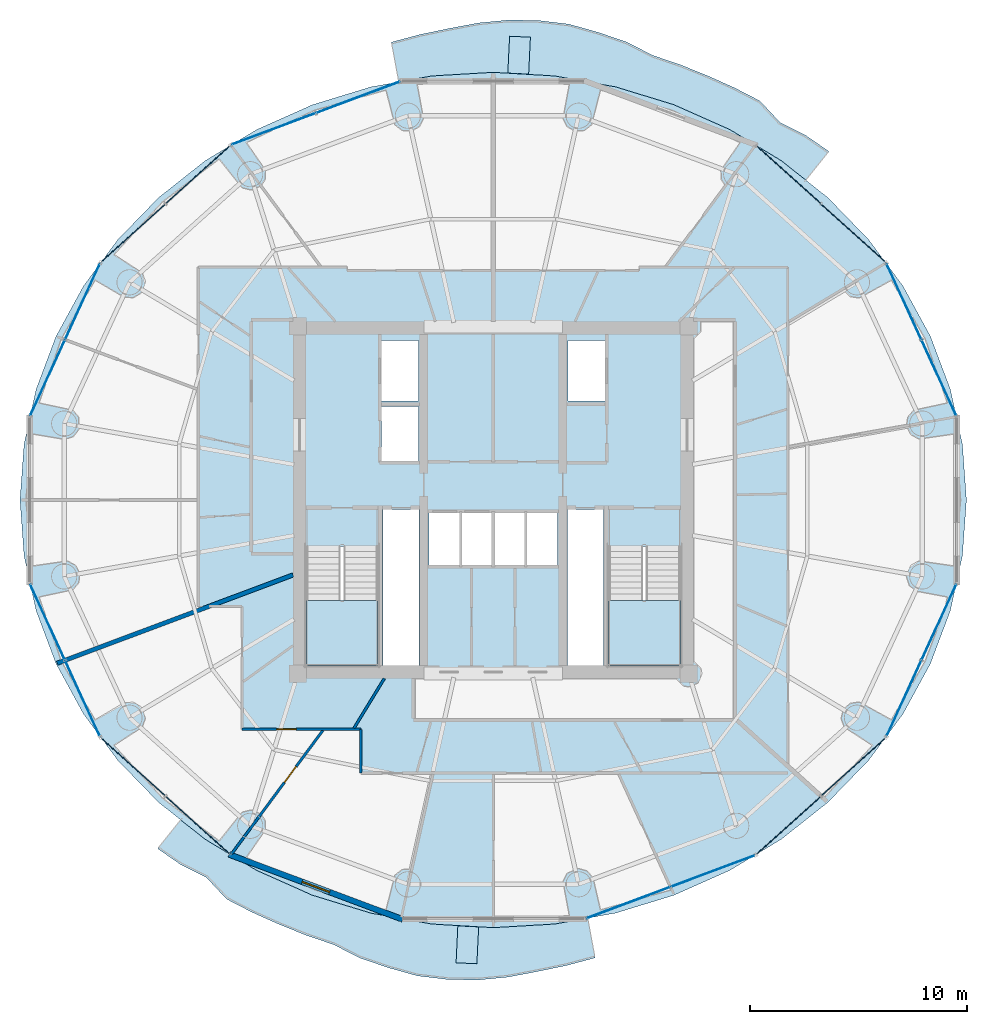
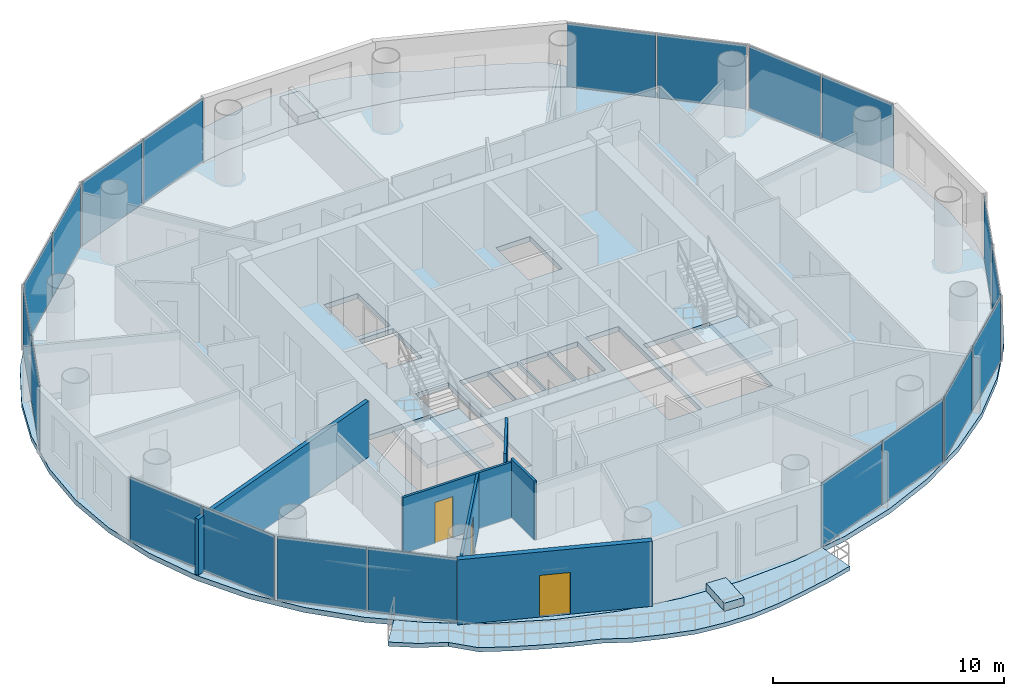
# One storey, part 19 of 26: 20 plates, 7 slabs, 6 walls, 3 doors, 3 openings, 12 elements without a shape of their own.
"""IFC4 building model written with IfcOpenShell, lengths in metres."""

import ifcopenshell
import ifcopenshell.guid

model = None  # the IFC model being written
_history = None  # IfcOwnerHistory: only IFC2X3 demands one
_inside = {}  # id of a spatial element -> (the spatial element, [elements in it])
_under = {}  # id of a project, library or spatial element -> (it, [spatial elements below it])
_declared = {}  # id of a project -> (the project, [libraries it declares])
_typed = {}  # id of a type object -> (the type object, [elements of that type])
_made_of = {}  # id of a material, layer set ... -> (it, [elements and type objects made of it])


def new_model(schema):
    """Start an empty IFC model of exactly this schema.

    Asked for "IFC4X3", IfcOpenShell would pick the latest addendum, in which some entities
    have other attributes; the version numbers below select the first issue.
    IFC2X3 requires an IfcOwnerHistory on every rooted entity: one is made here for all.
    """
    global model, _history
    if schema == "IFC4X3":
        model = ifcopenshell.file(schema_version=(4, 3, 0, 0))
    else:
        model = ifcopenshell.file(schema=schema)
    _inside.clear()
    _under.clear()
    _declared.clear()
    _typed.clear()
    _made_of.clear()
    _history = None
    if model.schema == "IFC2X3":
        org = make("IfcOrganization", Name="unknown")
        user = make(
            "IfcPersonAndOrganization",
            ThePerson=make("IfcPerson", FamilyName="unknown"),
            TheOrganization=org,
        )
        app = make(
            "IfcApplication",
            ApplicationDeveloper=org,
            Version="unknown",
            ApplicationFullName="unknown",
            ApplicationIdentifier="unknown",
        )
        _history = make(
            "IfcOwnerHistory",
            OwningUser=user,
            OwningApplication=app,
            ChangeAction="ADDED",
            CreationDate=0,
        )
    return model


def make(cls, **values):
    """One entity of the class cls with the attributes given. An attribute that is None is left unset."""
    return model.create_entity(
        cls, **{name: value for name, value in values.items() if value is not None}
    )


def rooted(cls, **values):
    """An entity with a GlobalId (a new one), such as an element, a storey or a relation."""
    return make(cls, GlobalId=ifcopenshell.guid.new(), OwnerHistory=_history, **values)


def si_unit(unit_type, name, prefix=None):
    """IfcSIUnit, for example si_unit("LENGTHUNIT", "METRE", prefix="MILLI")."""
    return make("IfcSIUnit", UnitType=unit_type, Prefix=prefix, Name=name)


def assignment(units):
    """IfcUnitAssignment: the units of a project."""
    return None if units is None else make("IfcUnitAssignment", Units=units)


def point(xyz):
    """IfcCartesianPoint."""
    return None if xyz is None else make("IfcCartesianPoint", Coordinates=xyz)


def direction(xyz):
    """IfcDirection."""
    return None if xyz is None else make("IfcDirection", DirectionRatios=xyz)


def frame(location, z_axis=None, x_axis=None):
    """IfcAxis2Placement3D, a coordinate frame: its origin and axes. An axis left out is left unset."""
    return make(
        "IfcAxis2Placement3D",
        Location=point(location),
        Axis=direction(z_axis),
        RefDirection=direction(x_axis),
    )


def frame_2d(location, x_axis=None):
    """IfcAxis2Placement2D, a coordinate frame in the plane: its origin and x axis."""
    return make(
        "IfcAxis2Placement2D", Location=point(location), RefDirection=direction(x_axis)
    )


def origin():
    """The frame at (0, 0, 0) with its axes left unset."""
    return frame((0.0, 0.0, 0.0))


def origin_2d():
    """The frame at (0, 0) in the plane with its x axis left unset."""
    return frame_2d((0.0, 0.0))


def place(relative_to, where):
    """IfcLocalPlacement: puts the frame where relative to a parent placement (None: the world)."""
    return make(
        "IfcLocalPlacement", PlacementRelTo=relative_to, RelativePlacement=where
    )


def context(
    kind, dimensions, precision=None, world=None, true_north=None, identifier=None
):
    """IfcGeometricRepresentationContext, for example the 3D "Model" context."""
    return make(
        "IfcGeometricRepresentationContext",
        ContextIdentifier=identifier,
        ContextType=kind,
        CoordinateSpaceDimension=dimensions,
        Precision=precision,
        WorldCoordinateSystem=world,
        TrueNorth=true_north,
    )


def subcontext(parent, identifier, kind, view, scale=None):
    """IfcGeometricRepresentationSubContext, for example "Body" below "Model"."""
    return make(
        "IfcGeometricRepresentationSubContext",
        ContextIdentifier=identifier,
        ContextType=kind,
        ParentContext=parent,
        TargetScale=scale,
        TargetView=view,
    )


def project(units=None, contexts=None):
    """IfcProject with its units and contexts."""
    return rooted(
        "IfcProject",
        Name="project",
        RepresentationContexts=contexts,
        UnitsInContext=assignment(units),
    )


def spatial(cls, under=None, at=None, **own):
    """A site, building, storey or space (cls), placed at a placement, below another one or the project."""
    s = rooted(cls, ObjectPlacement=at, **own)
    if under is not None:
        _under.setdefault(under.id(), (under, []))[1].append(s)
    return s


def polyline(points):
    """IfcPolyline through the points."""
    return make("IfcPolyline", Points=[point(p) for p in points])


def profile(cls, at=None, kind="AREA", **sizes):
    """A parametric profile (cls). Its sizes go by their IFC names, for example OverallWidth=200.0."""
    return make(cls, ProfileType=kind, Position=at, **sizes)


def rectangle(**sizes):
    """IfcRectangleProfileDef."""
    return profile("IfcRectangleProfileDef", **sizes)


def outline(outer, holes=None, kind="AREA"):
    """IfcArbitraryClosedProfileDef: a profile drawn as a closed curve; with holes, ...WithVoids."""
    if holes is None:
        return make("IfcArbitraryClosedProfileDef", ProfileType=kind, OuterCurve=outer)
    return make(
        "IfcArbitraryProfileDefWithVoids",
        ProfileType=kind,
        OuterCurve=outer,
        InnerCurves=holes,
    )


def extrude(swept, where, along, depth):
    """IfcExtrudedAreaSolid: the profile swept, set in the frame where, extruded along a direction by depth."""
    return make(
        "IfcExtrudedAreaSolid",
        SweptArea=swept,
        Position=where,
        ExtrudedDirection=direction(along),
        Depth=depth,
    )


def shape(context_of_items, identifier, shape_type, items):
    """IfcShapeRepresentation: the items that make up one representation, for example the "Body"."""
    return make(
        "IfcShapeRepresentation",
        ContextOfItems=context_of_items,
        RepresentationIdentifier=identifier,
        RepresentationType=shape_type,
        Items=items,
    )


def source(mapping_origin, context_of_items, identifier, shape_type, items):
    """IfcRepresentationMap: a shape defined once, which mapped items show again and again."""
    return make(
        "IfcRepresentationMap",
        MappingOrigin=mapping_origin,
        MappedRepresentation=shape(context_of_items, identifier, shape_type, items),
    )


def transform(
    local_origin,
    x_axis=None,
    y_axis=None,
    z_axis=None,
    scale=None,
    scale2=None,
    scale3=None,
    uniform=True,
):
    """IfcCartesianTransformationOperator3D, or its non-uniform kind. x_axis, y_axis, z_axis: its Axis1, 2, 3."""
    if uniform:
        return make(
            "IfcCartesianTransformationOperator3D",
            Axis1=direction(x_axis),
            Axis2=direction(y_axis),
            LocalOrigin=point(local_origin),
            Scale=scale,
            Axis3=direction(z_axis),
        )
    return make(
        "IfcCartesianTransformationOperator3DnonUniform",
        Axis1=direction(x_axis),
        Axis2=direction(y_axis),
        LocalOrigin=point(local_origin),
        Scale=scale,
        Axis3=direction(z_axis),
        Scale2=scale2,
        Scale3=scale3,
    )


def mapped(mapping_source, mapping_target):
    """IfcMappedItem: shows the shape of a source again, moved by a transform."""
    return make(
        "IfcMappedItem", MappingSource=mapping_source, MappingTarget=mapping_target
    )


def material(Name=None, Category=None):
    """IfcMaterial."""
    return make("IfcMaterial", Name=Name, Category=Category)


def layer(
    of_material, thickness, ventilated=None, Name=None, Category=None, Priority=None
):
    """IfcMaterialLayer: one layer of a wall or slab, of a material (None: an air gap)."""
    return make(
        "IfcMaterialLayer",
        Material=of_material,
        LayerThickness=thickness,
        IsVentilated=ventilated,
        Name=Name,
        Category=Category,
        Priority=Priority,
    )


def layer_set(layers, Name=None):
    """IfcMaterialLayerSet."""
    return make("IfcMaterialLayerSet", MaterialLayers=layers, LayerSetName=Name)


def made_of(thing, what):
    """Note that an element or type object is made of a material, layer set ...; save() writes the relation."""
    if what is not None:
        _made_of.setdefault(what.id(), (what, []))[1].append(thing)
    return thing


def type_object(cls, material=None, **own):
    """A type object (cls), such as IfcWallType, which elements share."""
    return made_of(rooted(cls, **own), material)


def element(
    cls,
    number,
    at=None,
    inside=None,
    cuts=None,
    type_object=None,
    material=None,
    context=None,
    identifier="Body",
    shape_type=None,
    held_by="IfcProductDefinitionShape",
    body=None,
    shapes=None,
    **own,
):
    """One element of the class cls, such as IfcWall. Its Tag is "e" and its number.

    at: its placement. inside: the storey or other place that contains it. cuts: it is an
    opening in that element (IfcRelVoidsElement). A single representation is given by context,
    identifier, shape_type and body (its items); several are given by shapes. held_by: the class
    of the entity that holds the representations. save() writes the other relations.
    """
    e = rooted(cls, Tag="e%d" % number, ObjectPlacement=at, **own)
    if body is not None:
        shapes = [shape(context, identifier, shape_type, body)]
    if shapes is not None:
        e.Representation = make(held_by, Representations=shapes)
    if inside is not None:
        _inside.setdefault(inside.id(), (inside, []))[1].append(e)
    if cuts is not None:
        rooted(
            "IfcRelVoidsElement", RelatingBuildingElement=cuts, RelatedOpeningElement=e
        )
    if type_object is not None:
        _typed.setdefault(type_object.id(), (type_object, []))[1].append(e)
    return made_of(e, material)


def fill(opening, filler):
    """IfcRelFillsElement: the door or window that sits in an opening."""
    return rooted(
        "IfcRelFillsElement",
        RelatingOpeningElement=opening,
        RelatedBuildingElement=filler,
    )


def aggregate(whole, parts):
    """IfcRelAggregates: a whole, such as a stair, and the parts it consists of."""
    return rooted("IfcRelAggregates", RelatingObject=whole, RelatedObjects=parts)


def save(model, path):
    """Write the relations noted so far, then the file.

    IfcRelAggregates (storeys below a building ...), IfcRelContainedInSpatialStructure (elements
    in a storey), IfcRelDefinesByType, IfcRelAssociatesMaterial and IfcRelDeclares: one each for
    every whole, place, type object, material and project.
    """
    for whole, parts in _under.values():
        aggregate(whole, parts)
    for where, things in _inside.values():
        rooted(
            "IfcRelContainedInSpatialStructure",
            RelatedElements=things,
            RelatingStructure=where,
        )
    for kind, things in _typed.values():
        rooted("IfcRelDefinesByType", RelatedObjects=things, RelatingType=kind)
    for what, things in _made_of.values():
        rooted("IfcRelAssociatesMaterial", RelatedObjects=things, RelatingMaterial=what)
    for by, libraries in _declared.values():
        rooted("IfcRelDeclares", RelatingContext=by, RelatedDefinitions=libraries)
    model.write(path)


model = new_model("IFC4")

# Units and contexts
model_context = context("Model", 3, precision=1e-05, world=origin(), true_north=direction((-0.2419218956, 0.970295726276)))
body_context = subcontext(model_context, "Body", "Model", "MODEL_VIEW")
ifc_project = project(units=[si_unit("LENGTHUNIT", "METRE"), si_unit("AREAUNIT", "SQUARE_METRE"), si_unit("VOLUMEUNIT", "CUBIC_METRE"), si_unit("PLANEANGLEUNIT", "RADIAN"), si_unit("MASSUNIT", "GRAM", prefix="KILO")], contexts=[model_context])

# Site, building, storey
site_placement = place(None, origin())
site = spatial("IfcSite", under=ifc_project, at=site_placement, CompositionType="ELEMENT")
building_placement = place(site_placement, origin())
building = spatial("IfcBuilding", under=site, at=building_placement, Name="Cobrevalo Terracotta Tower", CompositionType="ELEMENT")
storey_placement = place(building_placement, frame((0.0, 0.0, 202.300048828125)))
storey = spatial("IfcBuildingStorey", under=building, at=storey_placement, Name="L53", CompositionType="ELEMENT", Elevation=202.300048828125)

# Stair, slab
ifc_material_1 = material(Name="Concrete C50", Category="concrete")
stair_type = type_object("IfcStairType", Name="Core protected escape dogleg stair 1600", PredefinedType="HALF_TURN_STAIR", material=ifc_material_1)
stair_1_placement = place(storey_placement, origin())
stair_1 = element("IfcStair", 1, at=stair_1_placement, inside=storey, type_object=stair_type, Name="L53 Protected exit stair ST-1", PredefinedType="HALF_TURN_STAIR")
ifc_layer_1 = layer(ifc_material_1, 0.199951171875)
ifc_layer_set_1 = layer_set([ifc_layer_1], Name="Concrete C50")
slab_type_1 = type_object("IfcSlabType", Name="Reinforced Concrete Stair Landing 200", PredefinedType="LANDING", material=ifc_layer_set_1)
slab_1_placement = place(storey_placement, frame((0.0, 0.0, 1.64990234375)))
slab_1 = element("IfcSlab", 2, at=slab_1_placement, type_object=slab_type_1, Name="ST-1 landing 1", PredefinedType="LANDING", context=body_context, shape_type="SweptSolid", body=[
    extrude(outline(polyline([(29.375, 22.179931640625), (29.375, 19.175048828125), (32.695068359375, 19.175048828125), (32.695068359375, 22.179931640625), (29.375, 22.179931640625)])), origin(), (0.0, 0.0, 1.0), 0.199951171875),
])
aggregate(stair_1, [slab_1])

stair_2_placement = place(storey_placement, origin())
stair_2 = element("IfcStair", 3, at=stair_2_placement, inside=storey, type_object=stair_type, Name="L53 Protected exit stair ST-2", PredefinedType="HALF_TURN_STAIR")
slab_2_placement = place(storey_placement, frame((0.0, 0.0, 1.64990234375)))
slab_2 = element("IfcSlab", 4, at=slab_2_placement, type_object=slab_type_1, Name="ST-2 landing 1", PredefinedType="LANDING", context=body_context, shape_type="SweptSolid", body=[
    extrude(outline(polyline([(43.304931640625, 22.179931640625), (43.304931640625, 19.175048828125), (46.625, 19.175048828125), (46.625, 22.179931640625), (43.304931640625, 22.179931640625)])), origin(), (0.0, 0.0, 1.0), 0.199951171875),
])
aggregate(stair_2, [slab_2])

# Slabs
ifc_material_2 = material(Name="Concrete C45", Category="concrete")
ifc_layer_2 = layer(ifc_material_2, 0.219970703125)
ifc_layer_set_2 = layer_set([ifc_layer_2], Name="Concrete C45")
slab_type_2 = type_object("IfcSlabType", Name="Spiralling cantilevered balcony lobe slab 220 mm", PredefinedType="FLOOR", material=ifc_layer_set_2)
slab_3_placement = place(storey_placement, frame((0.0, 0.0, -0.219970703125)))
element("IfcSlab", 5, at=slab_3_placement, inside=storey, type_object=slab_type_2, Name="L53 spiralling arc balcony slab lobe 1", PredefinedType="FLOOR", context=body_context, shape_type="SweptSolid", body=[
    extrude(outline(polyline([(53.46435546875, 42.856201171875), (52.3935546875, 43.598388671875), (51.217041015625, 44.187255859375), (50.27978515625, 45.187255859375), (49.09814453125, 45.796875), (47.876708984375, 46.341552734375), (46.63671875, 46.84326171875), (45.361328125, 47.2783203125), (44.12744140625, 47.90234375), (42.8193359375, 48.349609375), (41.47998046875, 48.72314453125), (40.102783203125, 48.887451171875), (38.713134765625, 48.91162109375), (37.33154296875, 48.778564453125), (35.967041015625, 48.521728515625), (34.624267578125, 48.242919921875), (33.30712890625, 47.889892578125), (33.644775390625, 46.06201171875), (35.154296875, 46.33349609375), (38.0, 46.501953125), (40.845703125, 46.33349609375), (43.642822265625, 45.83056640625), (46.34326171875, 45.002197265625), (48.90087890625, 43.862548828125), (51.272216796875, 42.4306640625), (52.406494140625, 41.53173828125), (53.46435546875, 42.856201171875)])), origin(), (0.0, 0.0, 1.0), 0.219970703125),
])
slab_4_placement = place(storey_placement, frame((0.0, 0.0, -0.219970703125)))
element("IfcSlab", 6, at=slab_4_placement, inside=storey, type_object=slab_type_2, Name="L53 spiralling arc balcony slab lobe 2", PredefinedType="FLOOR", context=body_context, shape_type="SweptSolid", body=[
    extrude(outline(polyline([(22.53564453125, 10.743896484375), (23.6064453125, 10.00146484375), (24.782958984375, 9.412841796875), (25.72021484375, 8.412841796875), (26.90185546875, 7.80322265625), (28.123291015625, 7.25830078125), (29.36328125, 6.7568359375), (30.638671875, 6.32177734375), (31.87255859375, 5.69775390625), (33.1806640625, 5.250244140625), (34.52001953125, 4.876708984375), (35.897216796875, 4.712646484375), (37.286865234375, 4.6884765625), (38.66845703125, 4.8212890625), (40.032958984375, 5.078369140625), (41.375732421875, 5.357177734375), (42.69287109375, 5.710205078125), (42.355224609375, 7.537841796875), (40.845703125, 7.2666015625), (38.0, 7.097900390625), (35.154296875, 7.2666015625), (32.357177734375, 7.769287109375), (29.65673828125, 8.59765625), (27.09912109375, 9.737548828125), (24.727783203125, 11.16943359375), (23.593505859375, 12.068359375), (22.53564453125, 10.743896484375)])), origin(), (0.0, 0.0, 1.0), 0.219970703125),
])
ifc_material_3 = material(Name="Precast concrete C45", Category="concrete")
ifc_layer_3 = layer(ifc_material_3, 0.419921875)
ifc_layer_set_3 = layer_set([ifc_layer_3], Name="Precast concrete C45")
slab_type_3 = type_object("IfcSlabType", Name="Structural tree planter trough base 420 mm", PredefinedType="USERDEFINED", material=ifc_layer_set_3)
slab_5_placement = place(storey_placement, origin())
element("IfcSlab", 7, at=slab_5_placement, inside=storey, type_object=slab_type_3, Name="L53 structural tree planter trough 1", ObjectType="PLANTER", PredefinedType="USERDEFINED", context=body_context, shape_type="SweptSolid", body=[
    extrude(outline(polyline([(39.630859375, 46.41943359375), (39.712158203125, 48.11767578125), (38.753173828125, 48.16357421875), (38.671875, 46.46533203125), (39.630859375, 46.41943359375)])), origin(), (0.0, 0.0, 1.0), 0.419921875),
])
slab_6_placement = place(storey_placement, origin())
element("IfcSlab", 8, at=slab_6_placement, inside=storey, type_object=slab_type_3, Name="L53 structural tree planter trough 2", ObjectType="PLANTER", PredefinedType="USERDEFINED", context=body_context, shape_type="SweptSolid", body=[
    extrude(outline(polyline([(36.369140625, 7.180419921875), (36.287841796875, 5.482421875), (37.246826171875, 5.4365234375), (37.328125, 7.134521484375), (36.369140625, 7.180419921875)])), origin(), (0.0, 0.0, 1.0), 0.419921875),
])
ifc_layer_4 = layer(ifc_material_2, 0.264892578125)
ifc_layer_set_4 = layer_set([ifc_layer_4], Name="Concrete C45")
slab_type_4 = type_object("IfcSlabType", Name="Zone Z4 elliptical floor plate 265 mm", PredefinedType="FLOOR", material=ifc_layer_set_4)
slab_7_placement = place(storey_placement, frame((0.0, 0.0, -0.26513671875)))
element("IfcSlab", 9, at=slab_7_placement, inside=storey, type_object=slab_type_4, Name="L53 indoor elliptical floor slab", PredefinedType="FLOOR", context=body_context, shape_type="SweptSolid", body=[
    extrude(outline(polyline([(59.613525390625, 24.228515625), (59.05712890625, 21.701171875), (58.140625, 19.26123046875), (56.87939453125, 16.949951171875), (55.295166015625, 14.807373046875), (53.4150390625, 12.8701171875), (51.27099609375, 11.1708984375), (48.89990234375, 9.7392578125), (46.342529296875, 8.599609375), (43.642333984375, 7.771240234375), (40.845458984375, 7.2685546875), (38.0, 7.10009765625), (35.154541015625, 7.2685546875), (32.357666015625, 7.771240234375), (29.657470703125, 8.599609375), (27.10009765625, 9.7392578125), (24.72900390625, 11.1708984375), (22.5849609375, 12.8701171875), (20.704833984375, 14.807373046875), (19.12060546875, 16.949951171875), (17.859375, 19.26123046875), (16.94287109375, 21.701171875), (16.386474609375, 24.228515625), (16.199951171875, 26.800048828125), (16.386474609375, 29.371337890625), (16.94287109375, 31.898681640625), (17.859375, 34.3388671875), (19.12060546875, 36.64990234375), (20.704833984375, 38.79248046875), (22.5849609375, 40.72998046875), (24.72900390625, 42.428955078125), (27.10009765625, 43.860595703125), (29.657470703125, 45.00048828125), (32.357666015625, 45.828857421875), (35.154541015625, 46.33154296875), (38.0, 46.5), (40.845458984375, 46.33154296875), (43.642333984375, 45.828857421875), (46.342529296875, 45.00048828125), (48.89990234375, 43.860595703125), (51.27099609375, 42.428955078125), (53.4150390625, 40.72998046875), (55.295166015625, 38.79248046875), (56.87939453125, 36.64990234375), (58.140625, 34.3388671875), (59.05712890625, 31.898681640625), (59.613525390625, 29.371337890625), (59.800048828125, 26.800048828125), (59.613525390625, 24.228515625)]), holes=[polyline([(32.695068359375, 19.175048828125), (32.695068359375, 24.659912109375), (29.375, 24.659912109375), (29.375, 19.175048828125), (32.695068359375, 19.175048828125)]), polyline([(34.574951171875, 26.360107421875), (32.919921875, 26.360107421875), (32.919921875, 19.175048828125), (34.574951171875, 19.175048828125), (34.574951171875, 26.360107421875)]), polyline([(36.47998046875, 26.25), (35.050048828125, 26.25), (35.050048828125, 23.800048828125), (36.47998046875, 23.800048828125), (36.47998046875, 26.25)]), polyline([(37.9599609375, 23.800048828125), (37.9599609375, 26.25), (36.530029296875, 26.25), (36.530029296875, 23.800048828125), (37.9599609375, 23.800048828125)]), polyline([(34.550048828125, 28.60009765625), (34.550048828125, 31.10009765625), (32.85009765625, 31.10009765625), (32.85009765625, 28.60009765625), (34.550048828125, 28.60009765625)]), polyline([(34.550048828125, 34.14990234375), (32.85009765625, 34.14990234375), (32.85009765625, 31.35009765625), (34.550048828125, 31.35009765625), (34.550048828125, 34.14990234375)]), polyline([(43.304931640625, 19.175048828125), (46.625, 19.175048828125), (46.625, 24.659912109375), (43.304931640625, 24.659912109375), (43.304931640625, 19.175048828125)]), polyline([(43.080078125, 19.175048828125), (43.080078125, 26.360107421875), (41.425048828125, 26.360107421875), (41.425048828125, 19.175048828125), (43.080078125, 19.175048828125)]), polyline([(39.469970703125, 26.25), (38.0400390625, 26.25), (38.0400390625, 23.800048828125), (39.469970703125, 23.800048828125), (39.469970703125, 26.25)]), polyline([(40.949951171875, 23.800048828125), (40.949951171875, 26.25), (39.52001953125, 26.25), (39.52001953125, 23.800048828125), (40.949951171875, 23.800048828125)]), polyline([(43.14990234375, 31.35009765625), (43.14990234375, 34.14990234375), (41.449951171875, 34.14990234375), (41.449951171875, 31.35009765625), (43.14990234375, 31.35009765625)])]), origin(), (0.0, 0.0, 1.0), 0.26513671875),
])

# Curtain wall, plates
ifc_material_4 = material(Name="Anodized aluminium", Category="aluminium")
curtain_wall_type = type_object("IfcCurtainWallType", Name="Mid-tower high-wind unitised curtain wall CW-U2", PredefinedType="NOTDEFINED", material=ifc_material_4)
curtain_wall_1_placement = place(storey_placement, origin())
curtain_wall_1 = element("IfcCurtainWall", 10, at=curtain_wall_1_placement, inside=storey, type_object=curtain_wall_type, Name="L53 curtain wall CW-L53-S02", PredefinedType="NOTDEFINED")
ifc_material_5 = material(Name="Solar-control low-E double glazing", Category="glass")
ifc_layer_5 = layer(ifc_material_5, 0.028076171875)
ifc_layer_set_5 = layer_set([ifc_layer_5], Name="Solar-control low-E double glazing")
plate_type = type_object("IfcPlateType", Name="Tower solar-control low-E vision glass panel 28 mm", PredefinedType="CURTAIN_PANEL", material=ifc_layer_set_5)
shared_shape_1 = source(origin(), body_context, "Body", "SweptSolid", [
    extrude(rectangle(XDim=3.927490234375, YDim=0.035888671875, at=origin_2d()), origin(), (0.0, 0.0, 1.0), 3.35498046875),
])
plate_1_placement = place(storey_placement, frame((54.584716796875, 39.09814453125, 0.0400390625), z_axis=(0.0, 0.0, 1.0), x_axis=(-0.741987542015, 0.670413668935, 0.0)))
plate_1 = element("IfcPlate", 11, at=plate_1_placement, type_object=plate_type, Name="CW-L53-S02 glazing panel B01", PredefinedType="CURTAIN_PANEL", context=body_context, shape_type="MappedRepresentation", body=[
    mapped(shared_shape_1, transform((0.0, 0.0, 0.0), scale=1.0)),
])
plate_2_placement = place(storey_placement, frame((51.611083984375, 41.784912109375, 0.0400390625), z_axis=(0.0, 0.0, 1.0), x_axis=(-0.741987542015, 0.670413668935, 0.0)))
plate_2 = element("IfcPlate", 12, at=plate_2_placement, type_object=plate_type, Name="CW-L53-S02 glazing panel B02", PredefinedType="CURTAIN_PANEL", context=body_context, shape_type="MappedRepresentation", body=[
    mapped(shared_shape_1, transform((0.0, 0.0, 0.0), scale=1.0)),
])
aggregate(curtain_wall_1, [plate_1, plate_2])

curtain_wall_2_placement = place(storey_placement, origin())
curtain_wall_2 = element("IfcCurtainWall", 13, at=curtain_wall_2_placement, inside=storey, type_object=curtain_wall_type, Name="L53 curtain wall CW-L53-S06", PredefinedType="NOTDEFINED")
plate_3_placement = place(storey_placement, frame((24.388916015625, 41.784912109375, 0.0400390625), z_axis=(0.0, 0.0, 1.0), x_axis=(-0.741987542015, -0.670413668935, 0.0)))
plate_3 = element("IfcPlate", 14, at=plate_3_placement, type_object=plate_type, Name="CW-L53-S06 glazing panel B01", PredefinedType="CURTAIN_PANEL", context=body_context, shape_type="MappedRepresentation", body=[
    mapped(shared_shape_1, transform((0.0, 0.0, 0.0), scale=1.0)),
])
plate_4_placement = place(storey_placement, frame((21.415283203125, 39.09814453125, 0.0400390625), z_axis=(0.0, 0.0, 1.0), x_axis=(-0.741987542015, -0.670413668935, 0.0)))
plate_4 = element("IfcPlate", 15, at=plate_4_placement, type_object=plate_type, Name="CW-L53-S06 glazing panel B02", PredefinedType="CURTAIN_PANEL", context=body_context, shape_type="MappedRepresentation", body=[
    mapped(shared_shape_1, transform((0.0, 0.0, 0.0), scale=1.0)),
])
aggregate(curtain_wall_2, [plate_3, plate_4])

curtain_wall_3_placement = place(storey_placement, origin())
curtain_wall_3 = element("IfcCurtainWall", 16, at=curtain_wall_3_placement, inside=storey, type_object=curtain_wall_type, Name="L53 curtain wall CW-L53-S10", PredefinedType="NOTDEFINED")
plate_5_placement = place(storey_placement, frame((21.415283203125, 14.501708984375, 0.0400390625), z_axis=(0.0, 0.0, 1.0), x_axis=(0.741987542015, -0.670413668935, 0.0)))
plate_5 = element("IfcPlate", 17, at=plate_5_placement, type_object=plate_type, Name="CW-L53-S10 glazing panel B01", PredefinedType="CURTAIN_PANEL", context=body_context, shape_type="MappedRepresentation", body=[
    mapped(shared_shape_1, transform((0.0, 0.0, 0.0), scale=1.0)),
])
plate_6_placement = place(storey_placement, frame((24.388916015625, 11.815185546875, 0.0400390625), z_axis=(0.0, 0.0, 1.0), x_axis=(0.741987542015, -0.670413668935, 0.0)))
plate_6 = element("IfcPlate", 18, at=plate_6_placement, type_object=plate_type, Name="CW-L53-S10 glazing panel B02", PredefinedType="CURTAIN_PANEL", context=body_context, shape_type="MappedRepresentation", body=[
    mapped(shared_shape_1, transform((0.0, 0.0, 0.0), scale=1.0)),
])
aggregate(curtain_wall_3, [plate_5, plate_6])

curtain_wall_4_placement = place(storey_placement, origin())
curtain_wall_4 = element("IfcCurtainWall", 19, at=curtain_wall_4_placement, inside=storey, type_object=curtain_wall_type, Name="L53 curtain wall CW-L53-S14", PredefinedType="NOTDEFINED")
plate_7_placement = place(storey_placement, frame((51.611083984375, 11.815185546875, 0.0400390625), z_axis=(0.0, 0.0, 1.0), x_axis=(0.741987542015, 0.670413668935, 0.0)))
plate_7 = element("IfcPlate", 20, at=plate_7_placement, type_object=plate_type, Name="CW-L53-S14 glazing panel B01", PredefinedType="CURTAIN_PANEL", context=body_context, shape_type="MappedRepresentation", body=[
    mapped(shared_shape_1, transform((0.0, 0.0, 0.0), scale=1.0)),
])
plate_8_placement = place(storey_placement, frame((54.584716796875, 14.501708984375, 0.0400390625), z_axis=(0.0, 0.0, 1.0), x_axis=(0.741987542015, 0.670413668935, 0.0)))
plate_8 = element("IfcPlate", 21, at=plate_8_placement, type_object=plate_type, Name="CW-L53-S14 glazing panel B02", PredefinedType="CURTAIN_PANEL", context=body_context, shape_type="MappedRepresentation", body=[
    mapped(shared_shape_1, transform((0.0, 0.0, 0.0), scale=1.0)),
])
aggregate(curtain_wall_4, [plate_7, plate_8])

curtain_wall_5_placement = place(storey_placement, origin())
curtain_wall_5 = element("IfcCurtainWall", 22, at=curtain_wall_5_placement, inside=storey, type_object=curtain_wall_type, Name="L53 curtain wall CW-L53-S01", PredefinedType="NOTDEFINED")
shared_shape_2 = source(origin(), body_context, "Body", "SweptSolid", [
    extrude(rectangle(XDim=3.780029296875, YDim=0.035888671875, at=origin_2d()), origin(), (0.0, 0.0, 1.0), 3.35498046875),
])
plate_9_placement = place(storey_placement, frame((58.53076171875, 32.42822265625, 0.0400390625), z_axis=(0.0, 0.0, 1.0), x_axis=(-0.416731425355, 0.909029657999, 0.0)))
plate_9 = element("IfcPlate", 23, at=plate_9_placement, type_object=plate_type, Name="CW-L53-S01 glazing panel B01", PredefinedType="CURTAIN_PANEL", context=body_context, shape_type="MappedRepresentation", body=[
    mapped(shared_shape_2, transform((0.0, 0.0, 0.0), scale=1.0)),
])
plate_10_placement = place(storey_placement, frame((56.922119140625, 35.937255859375, 0.0400390625), z_axis=(0.0, 0.0, 1.0), x_axis=(-0.416731425355, 0.909029657999, 0.0)))
plate_10 = element("IfcPlate", 24, at=plate_10_placement, type_object=plate_type, Name="CW-L53-S01 glazing panel B02", PredefinedType="CURTAIN_PANEL", context=body_context, shape_type="MappedRepresentation", body=[
    mapped(shared_shape_2, transform((0.0, 0.0, 0.0), scale=1.0)),
])
aggregate(curtain_wall_5, [plate_9, plate_10])

curtain_wall_6_placement = place(storey_placement, origin())
curtain_wall_6 = element("IfcCurtainWall", 25, at=curtain_wall_6_placement, inside=storey, type_object=curtain_wall_type, Name="L53 curtain wall CW-L53-S07", PredefinedType="NOTDEFINED")
plate_11_placement = place(storey_placement, frame((19.077880859375, 35.937255859375, 0.0400390625), z_axis=(0.0, 0.0, 1.0), x_axis=(-0.416731425355, -0.909029657999, 0.0)))
plate_11 = element("IfcPlate", 26, at=plate_11_placement, type_object=plate_type, Name="CW-L53-S07 glazing panel B01", PredefinedType="CURTAIN_PANEL", context=body_context, shape_type="MappedRepresentation", body=[
    mapped(shared_shape_2, transform((0.0, 0.0, 0.0), scale=1.0)),
])
plate_12_placement = place(storey_placement, frame((17.46923828125, 32.42822265625, 0.0400390625), z_axis=(0.0, 0.0, 1.0), x_axis=(-0.416731425355, -0.909029657999, 0.0)))
plate_12 = element("IfcPlate", 27, at=plate_12_placement, type_object=plate_type, Name="CW-L53-S07 glazing panel B02", PredefinedType="CURTAIN_PANEL", context=body_context, shape_type="MappedRepresentation", body=[
    mapped(shared_shape_2, transform((0.0, 0.0, 0.0), scale=1.0)),
])
aggregate(curtain_wall_6, [plate_11, plate_12])

curtain_wall_7_placement = place(storey_placement, origin())
curtain_wall_7 = element("IfcCurtainWall", 28, at=curtain_wall_7_placement, inside=storey, type_object=curtain_wall_type, Name="L53 curtain wall CW-L53-S09", PredefinedType="NOTDEFINED")
plate_13_placement = place(storey_placement, frame((17.46923828125, 21.171630859375, 0.0400390625), z_axis=(0.0, 0.0, 1.0), x_axis=(0.416731425355, -0.909029657999, 0.0)))
plate_13 = element("IfcPlate", 29, at=plate_13_placement, type_object=plate_type, Name="CW-L53-S09 glazing panel B01", PredefinedType="CURTAIN_PANEL", context=body_context, shape_type="MappedRepresentation", body=[
    mapped(shared_shape_2, transform((0.0, 0.0, 0.0), scale=1.0)),
])
plate_14_placement = place(storey_placement, frame((19.077880859375, 17.662841796875, 0.0400390625), z_axis=(0.0, 0.0, 1.0), x_axis=(0.416731425355, -0.909029657999, 0.0)))
plate_14 = element("IfcPlate", 30, at=plate_14_placement, type_object=plate_type, Name="CW-L53-S09 glazing panel B02", PredefinedType="CURTAIN_PANEL", context=body_context, shape_type="MappedRepresentation", body=[
    mapped(shared_shape_2, transform((0.0, 0.0, 0.0), scale=1.0)),
])
aggregate(curtain_wall_7, [plate_13, plate_14])

curtain_wall_8_placement = place(storey_placement, origin())
curtain_wall_8 = element("IfcCurtainWall", 31, at=curtain_wall_8_placement, inside=storey, type_object=curtain_wall_type, Name="L53 curtain wall CW-L53-S15", PredefinedType="NOTDEFINED")
plate_15_placement = place(storey_placement, frame((56.922119140625, 17.662841796875, 0.0400390625), z_axis=(0.0, 0.0, 1.0), x_axis=(0.416731425355, 0.909029657999, 0.0)))
plate_15 = element("IfcPlate", 32, at=plate_15_placement, type_object=plate_type, Name="CW-L53-S15 glazing panel B01", PredefinedType="CURTAIN_PANEL", context=body_context, shape_type="MappedRepresentation", body=[
    mapped(shared_shape_2, transform((0.0, 0.0, 0.0), scale=1.0)),
])
plate_16_placement = place(storey_placement, frame((58.53076171875, 21.171630859375, 0.0400390625), z_axis=(0.0, 0.0, 1.0), x_axis=(0.416731425355, 0.909029657999, 0.0)))
plate_16 = element("IfcPlate", 33, at=plate_16_placement, type_object=plate_type, Name="CW-L53-S15 glazing panel B02", PredefinedType="CURTAIN_PANEL", context=body_context, shape_type="MappedRepresentation", body=[
    mapped(shared_shape_2, transform((0.0, 0.0, 0.0), scale=1.0)),
])
aggregate(curtain_wall_8, [plate_15, plate_16])

curtain_wall_9_placement = place(storey_placement, origin())
curtain_wall_9 = element("IfcCurtainWall", 34, at=curtain_wall_9_placement, inside=storey, type_object=curtain_wall_type, Name="L53 curtain wall CW-L53-S05", PredefinedType="NOTDEFINED")
shared_shape_3 = source(origin(), body_context, "Body", "SweptSolid", [
    extrude(rectangle(XDim=4.069580078125, YDim=0.035888671875, at=origin_2d()), origin(), (0.0, 0.0, 1.0), 3.35498046875),
])
plate_17_placement = place(storey_placement, frame((31.772216796875, 45.350830078125, 0.0400390625), z_axis=(0.0, 0.0, 1.0), x_axis=(-0.936557839879, -0.350513070458, 0.0)))
plate_17 = element("IfcPlate", 35, at=plate_17_placement, type_object=plate_type, Name="CW-L53-S05 glazing panel B01", PredefinedType="CURTAIN_PANEL", context=body_context, shape_type="MappedRepresentation", body=[
    mapped(shared_shape_3, transform((0.0, 0.0, 0.0), scale=1.0)),
])
plate_18_placement = place(storey_placement, frame((27.885986328125, 43.896240234375, 0.0400390625), z_axis=(0.0, 0.0, 1.0), x_axis=(-0.936557839879, -0.350513070458, 0.0)))
plate_18 = element("IfcPlate", 36, at=plate_18_placement, type_object=plate_type, Name="CW-L53-S05 glazing panel B02", PredefinedType="CURTAIN_PANEL", context=body_context, shape_type="MappedRepresentation", body=[
    mapped(shared_shape_3, transform((0.0, 0.0, 0.0), scale=1.0)),
])
aggregate(curtain_wall_9, [plate_17, plate_18])

curtain_wall_10_placement = place(storey_placement, origin())
curtain_wall_10 = element("IfcCurtainWall", 37, at=curtain_wall_10_placement, inside=storey, type_object=curtain_wall_type, Name="L53 curtain wall CW-L53-S13", PredefinedType="NOTDEFINED")
plate_19_placement = place(storey_placement, frame((44.227783203125, 8.249267578125, 0.0400390625), z_axis=(0.0, 0.0, 1.0), x_axis=(0.936557839879, 0.350513070458, 0.0)))
plate_19 = element("IfcPlate", 38, at=plate_19_placement, type_object=plate_type, Name="CW-L53-S13 glazing panel B01", PredefinedType="CURTAIN_PANEL", context=body_context, shape_type="MappedRepresentation", body=[
    mapped(shared_shape_3, transform((0.0, 0.0, 0.0), scale=1.0)),
])
plate_20_placement = place(storey_placement, frame((48.114013671875, 9.70361328125, 0.0400390625), z_axis=(0.0, 0.0, 1.0), x_axis=(0.936557839879, 0.350513070458, 0.0)))
plate_20 = element("IfcPlate", 39, at=plate_20_placement, type_object=plate_type, Name="CW-L53-S13 glazing panel B02", PredefinedType="CURTAIN_PANEL", context=body_context, shape_type="MappedRepresentation", body=[
    mapped(shared_shape_3, transform((0.0, 0.0, 0.0), scale=1.0)),
])
aggregate(curtain_wall_10, [plate_19, plate_20])

# Wall
ifc_material_6 = material(Name="Autoclaved aerated concrete block", Category="concrete")
ifc_layer_6 = layer(ifc_material_6, 0.199951171875)
ifc_layer_set_6 = layer_set([ifc_layer_6], Name="Autoclaved aerated concrete block")
wall_type_1 = type_object("IfcWallType", Name="Fire-rated stair, shaft & demising masonry wall 200 mm", PredefinedType="PARTITIONING", material=ifc_layer_set_6)
wall_1_placement = place(storey_placement, frame((28.77490234375, 23.346923828125, 0.0), z_axis=(0.0, 0.0, 1.0), x_axis=(-0.936537569358, -0.350567227761, 0.0)))
element("IfcWall", 40, at=wall_1_placement, inside=storey, type_object=wall_type_1, Name="L53 interior partition IW-L53-DEM-2", PredefinedType="PARTITIONING", context=body_context, shape_type="SweptSolid", body=[
    extrude(rectangle(XDim=11.593994140625, YDim=0.199951171875, at=frame_2d((5.796875, 0.0))), origin(), (0.0, 0.0, 1.0), 2.950927734375),
])

# Wall, opening, door
ifc_layer_7 = layer(ifc_material_6, 0.260009765625)
ifc_layer_set_7 = layer_set([ifc_layer_7], Name="Autoclaved aerated concrete block")
wall_type_2 = type_object("IfcWallType", Name="Recessed balcony loggia insulated exterior wall 260 mm", PredefinedType="SOLIDWALL", material=ifc_layer_set_7)
wall_2_placement = place(storey_placement, frame((25.830322265625, 10.47314453125, 0.0), z_axis=(0.0, 0.0, 1.0), x_axis=(0.936556918375, -0.350515532672, 0.0)))
wall_2 = element("IfcWall", 41, at=wall_2_placement, inside=storey, type_object=wall_type_2, Name="L53 balcony loggia wall S11", PredefinedType="SOLIDWALL", context=body_context, shape_type="SweptSolid", body=[
    extrude(rectangle(XDim=8.539306640625, YDim=0.260009765625, at=frame_2d((4.26953125, 0.0))), origin(), (0.0, 0.0, 1.0), 3.43505859375),
])
opening_1_placement = place(wall_2_placement, frame((3.594482421875, 0.0, 0.0)))
opening_1 = element("IfcOpeningElement", 42, at=opening_1_placement, cuts=wall_2, Name="Opening ED-05", PredefinedType="OPENING", context=body_context, shape_type="SweptSolid", body=[
    extrude(rectangle(XDim=1.35009765625, YDim=2.199951171875, at=frame_2d((0.675048828125, 1.10009765625))), frame((0.0, 0.14013671875, 0.0), z_axis=(0.0, -1.0, 0.0), x_axis=(1.0, 0.0, 0.0)), (0.0, 0.0, 1.0), 0.280029296875),
])
ifc_material_7 = material(Name="Anodized aluminium and laminated glass", Category="aluminium")
door_type_1 = type_object("IfcDoorType", Name="Suite balcony acoustic glazed terrace door 1350x2200", OperationType="NOTDEFINED", PredefinedType="DOOR", material=ifc_material_7)
shared_shape_4 = source(origin(), body_context, "Body", "SweptSolid", [
    extrude(rectangle(XDim=1.35009765625, YDim=2.199951171875, at=frame_2d((0.675048828125, 1.10009765625))), frame((0.0, 0.02490234375, 0.0), z_axis=(0.0, -1.0, 0.0), x_axis=(1.0, 0.0, 0.0)), (0.0, 0.0, 1.0), 0.050048828125),
])
door_1_placement = place(opening_1_placement, frame((1.35009765625, 0.0, 0.0), z_axis=(0.0, 0.0, 1.0), x_axis=(-1.0, 0.0, 0.0)))
door_1 = element("IfcDoor", 43, at=door_1_placement, inside=storey, type_object=door_type_1, Name="L53 glazed balcony terrace door 2", OperationType="SINGLE_SWING_RIGHT", OverallHeight=2.199951171875, OverallWidth=1.35009765625, PredefinedType="DOOR", context=body_context, shape_type="MappedRepresentation", body=[
    mapped(shared_shape_4, transform((0.0, 0.0, 0.0), scale=1.0)),
])
fill(opening_1, door_1)

# Wall
ifc_material_8 = material(Name="Gypsum board on steel stud", Category="steel")
ifc_layer_8 = layer(ifc_material_8, 0.1201171875)
ifc_layer_set_8 = layer_set([ifc_layer_8], Name="Gypsum board on steel stud")
wall_type_3 = type_object("IfcWallType", Name="Residential internal acoustic stud partition 120 mm", PredefinedType="PARTITIONING", material=ifc_layer_set_8)
wall_3_placement = place(storey_placement, frame((31.89990234375, 14.22509765625, 0.0), z_axis=(0.0, 0.0, 1.0), x_axis=(0.0, 1.0, 0.0)))
element("IfcWall", 44, at=wall_3_placement, inside=storey, type_object=wall_type_3, Name="L53 interior partition IW-L53-U2-RING2_0", PredefinedType="PARTITIONING", context=body_context, shape_type="SweptSolid", body=[
    extrude(rectangle(XDim=2.010009765625, YDim=0.1201171875, at=frame_2d((1.0048828125, 0.0))), origin(), (0.0, 0.0, 1.0), 3.10986328125),
])

# Wall, opening, door
wall_4_placement = place(storey_placement, frame((31.89990234375, 16.235107421875, 0.0), z_axis=(0.0, 0.0, 1.0), x_axis=(-1.0, 0.0, 0.0)))
wall_4 = element("IfcWall", 45, at=wall_4_placement, inside=storey, type_object=wall_type_3, Name="L53 interior partition IW-L53-U2-RING3_0", PredefinedType="PARTITIONING", context=body_context, shape_type="SweptSolid", body=[
    extrude(rectangle(XDim=5.46484375, YDim=0.1201171875, at=frame_2d((2.732421875, 0.0))), origin(), (0.0, 0.0, 1.0), 2.950927734375),
])
opening_2_placement = place(wall_4_placement, frame((2.978515625, 0.0, 0.0)))
opening_2 = element("IfcOpeningElement", 46, at=opening_2_placement, cuts=wall_4, Name="Opening ID-12", PredefinedType="OPENING", context=body_context, shape_type="SweptSolid", body=[
    extrude(rectangle(XDim=0.89990234375, YDim=2.14990234375, at=frame_2d((0.449951171875, 1.074951171875))), frame((0.0, 0.070068359375, 0.0), z_axis=(0.0, -1.0, 0.0), x_axis=(1.0, 0.0, 0.0)), (0.0, 0.0, 1.0), 0.14013671875),
])
ifc_material_9 = material(Name="Engineered timber", Category="wood")
door_type_2 = type_object("IfcDoorType", Name="Internal residence & suite timber door 900x2150", OperationType="NOTDEFINED", PredefinedType="DOOR", material=ifc_material_9)
shared_shape_5 = source(origin(), body_context, "Body", "SweptSolid", [
    extrude(rectangle(XDim=0.89990234375, YDim=2.14990234375, at=frame_2d((0.449951171875, 1.074951171875))), frame((0.0, 0.02490234375, 0.0), z_axis=(0.0, -1.0, 0.0), x_axis=(1.0, 0.0, 0.0)), (0.0, 0.0, 1.0), 0.050048828125),
])
door_2_placement = place(opening_2_placement, frame((0.89990234375, 0.0, 0.0), z_axis=(0.0, 0.0, 1.0), x_axis=(-1.0, 0.0, 0.0)))
door_2 = element("IfcDoor", 47, at=door_2_placement, inside=storey, type_object=door_type_2, Name="Flat L53B Utility Closet internal door", OperationType="SINGLE_SWING_RIGHT", OverallHeight=2.14990234375, OverallWidth=0.89990234375, PredefinedType="DOOR", context=body_context, shape_type="MappedRepresentation", body=[
    mapped(shared_shape_5, transform((0.0, 0.0, 0.0), scale=1.0)),
])
fill(opening_2, door_2)

wall_5_placement = place(storey_placement, frame((30.1513671875, 16.18505859375, 0.0), z_axis=(0.0, 0.0, 1.0), x_axis=(-0.594540664599, -0.804065543434, 0.0)))
wall_5 = element("IfcWall", 48, at=wall_5_placement, inside=storey, type_object=wall_type_3, Name="L53 interior partition IW-L53-U2-ORAD1", PredefinedType="PARTITIONING", context=body_context, shape_type="SweptSolid", body=[
    extrude(rectangle(XDim=7.06591796875, YDim=0.1201171875, at=frame_2d((3.532958984375, 0.0))), origin(), (0.0, 0.0, 1.0), 2.950927734375),
])
opening_3_placement = place(wall_5_placement, frame((2.07470703125, 0.0, 0.0)))
opening_3 = element("IfcOpeningElement", 49, at=opening_3_placement, cuts=wall_5, Name="Opening ID-12", PredefinedType="OPENING", context=body_context, shape_type="SweptSolid", body=[
    extrude(rectangle(XDim=0.89990234375, YDim=2.14990234375, at=frame_2d((0.449951171875, 1.074951171875))), frame((0.0, 0.070068359375, 0.0), z_axis=(0.0, -1.0, 0.0), x_axis=(1.0, 0.0, 0.0)), (0.0, 0.0, 1.0), 0.14013671875),
])
door_3_placement = place(opening_3_placement, frame((0.89990234375, 0.0, 0.0), z_axis=(0.0, 0.0, 1.0), x_axis=(-1.0, 0.0, 0.0)))
door_3 = element("IfcDoor", 50, at=door_3_placement, inside=storey, type_object=door_type_2, Name="Flat L53B Living and Dining Room internal door", OperationType="SINGLE_SWING_RIGHT", OverallHeight=2.14990234375, OverallWidth=0.89990234375, PredefinedType="DOOR", context=body_context, shape_type="MappedRepresentation", body=[
    mapped(shared_shape_5, transform((0.0, 0.0, 0.0), scale=1.0)),
])
fill(opening_3, door_3)

# Wall
wall_6_placement = place(storey_placement, frame((32.980712890625, 18.574951171875, 0.0), z_axis=(0.0, 0.0, 1.0), x_axis=(-0.520926540997, -0.853601510592, 0.0)))
element("IfcWall", 51, at=wall_6_placement, inside=storey, type_object=wall_type_3, Name="L53 interior partition IW-L53-U2-IRAD2", PredefinedType="PARTITIONING", context=body_context, shape_type="SweptSolid", body=[
    extrude(rectangle(XDim=2.679443359375, YDim=0.1201171875, at=frame_2d((1.33984375, 0.0))), origin(), (0.0, 0.0, 1.0), 3.43505859375),
])

save(model, "model.ifc")
